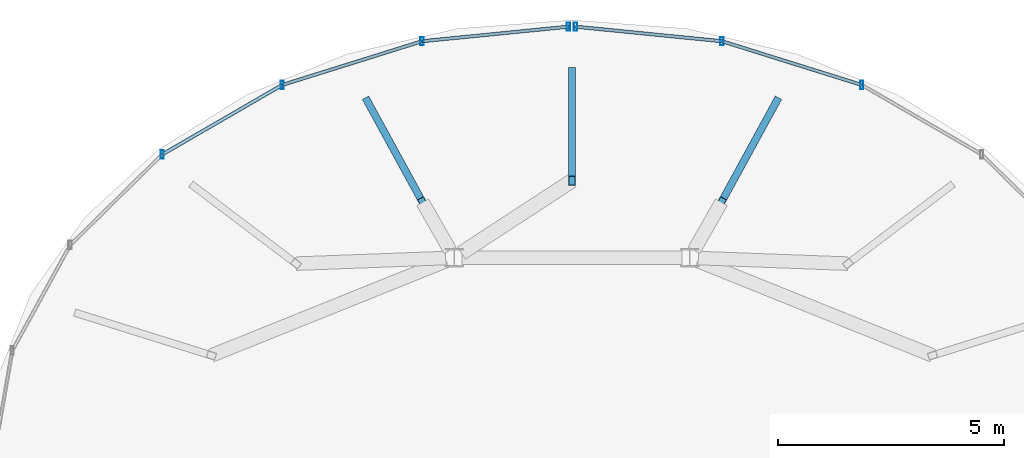
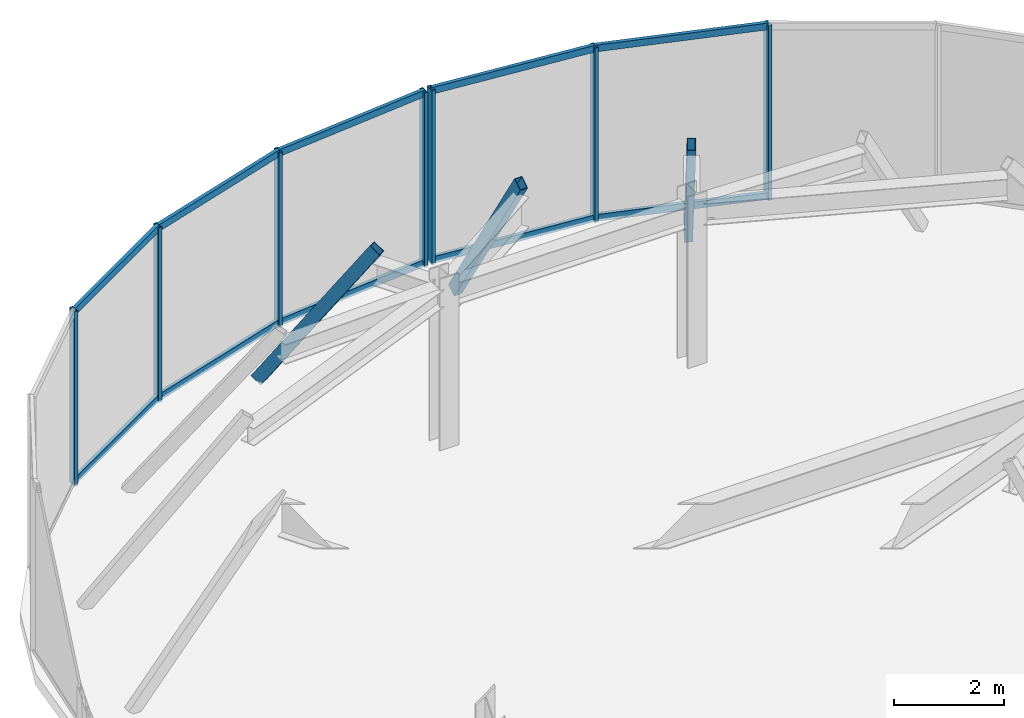
# One storey, part 8 of 10: 20 members, 2 elements without a shape of their own.
"""IFC4 building model written with IfcOpenShell, lengths in metres."""

from ifc_helpers import new_model, si_unit, direction, frame, origin, origin_2d, place, context, subcontext, project, spatial, hollow_rectangle, extrude, material, material_profile, profile_set, type_object, element, aggregate, save


model = new_model("IFC4")

# Units and contexts
model_context = context("Model", 3, precision=1e-05, world=origin(), true_north=direction((0.0, 1.0)))
body_context = subcontext(model_context, "Body", "Model", "MODEL_VIEW")
ifc_project = project(units=[si_unit("LENGTHUNIT", "METRE"), si_unit("AREAUNIT", "SQUARE_METRE"), si_unit("VOLUMEUNIT", "CUBIC_METRE"), si_unit("PLANEANGLEUNIT", "RADIAN"), si_unit("MASSUNIT", "GRAM", prefix="KILO")], contexts=[model_context])

# Site, building, storey
site_placement = place(None, origin())
site = spatial("IfcSite", under=ifc_project, at=site_placement, CompositionType="ELEMENT")
building_placement = place(site_placement, origin())
building = spatial("IfcBuilding", under=site, at=building_placement, Name="Vorneva Point Tower", CompositionType="ELEMENT")
storey_placement = place(building_placement, frame((0.0, 0.0, 306.800048828125)))
storey = spatial("IfcBuildingStorey", under=building, at=storey_placement, Name="C04", CompositionType="ELEMENT", Elevation=306.800048828125)

# Curtain wall, members
ifc_material_1 = material(Name="Pale anodised aluminium", Category="aluminium")
curtain_wall_type = type_object("IfcCurtainWallType", Name="CW-CRN-SYS", PredefinedType="NOTDEFINED", material=ifc_material_1)
curtain_wall_1_placement = place(storey_placement, origin())
curtain_wall_1 = element("IfcCurtainWall", 1, at=curtain_wall_1_placement, inside=storey, type_object=curtain_wall_type, Name="C04 Unitised Curtain Wall CW-C04-Q1", PredefinedType="NOTDEFINED")
ifc_material_profile_1 = material_profile(ifc_material_1, hollow_rectangle(XDim=0.074951171875, YDim=0.179931640625, WallThickness=0.00390625, at=origin_2d()), Name="AL-MUL 180x75x4")
ifc_profile_set_1 = profile_set([ifc_material_profile_1], Name="Pale anodised aluminium")
member_type_1 = type_object("IfcMemberType", Name="CW-MUL-180", PredefinedType="MULLION", material=ifc_profile_set_1)
member_1_placement = place(storey_placement, frame((44.39794921875, 34.36572265625, -0.0400390625), z_axis=(0.0, 0.0, 1.0), x_axis=(1.0, 0.0, 0.0)))
member_1 = element("IfcMember", 2, at=member_1_placement, type_object=member_type_1, Name="CW-C04-Q1 Mullion 05", PredefinedType="MULLION", context=body_context, shape_type="SweptSolid", body=[
    extrude(hollow_rectangle(XDim=0.074951171875, YDim=0.179931640625, WallThickness=0.00390625, at=origin_2d()), origin(), (0.0, 0.0, 1.0), 3.869873046875),
])
member_2_placement = place(storey_placement, frame((41.311767578125, 35.330810546875, -0.0400390625), z_axis=(0.0, 0.0, 1.0), x_axis=(1.0, 0.0, 0.0)))
member_2 = element("IfcMember", 3, at=member_2_placement, type_object=member_type_1, Name="CW-C04-Q1 Mullion 06", PredefinedType="MULLION", context=body_context, shape_type="SweptSolid", body=[
    extrude(hollow_rectangle(XDim=0.074951171875, YDim=0.179931640625, WallThickness=0.00390625, at=origin_2d()), origin(), (0.0, 0.0, 1.0), 3.869873046875),
])
member_3_placement = place(storey_placement, frame((38.07958984375, 35.652099609375, -0.0400390625), z_axis=(0.0, 0.0, 1.0), x_axis=(1.0, 0.0, 0.0)))
member_3 = element("IfcMember", 4, at=member_3_placement, type_object=member_type_1, Name="CW-C04-Q1 Mullion 07", PredefinedType="MULLION", context=body_context, shape_type="SweptSolid", body=[
    extrude(hollow_rectangle(XDim=0.074951171875, YDim=0.179931640625, WallThickness=0.00390625, at=origin_2d()), origin(), (0.0, 0.0, 1.0), 3.869873046875),
])

curtain_wall_2_placement = place(storey_placement, origin())
curtain_wall_2 = element("IfcCurtainWall", 5, at=curtain_wall_2_placement, inside=storey, type_object=curtain_wall_type, Name="C04 Unitised Curtain Wall CW-C04-Q2", PredefinedType="NOTDEFINED")
member_4_placement = place(storey_placement, frame((37.92041015625, 35.652099609375, -0.0400390625), z_axis=(0.0, 0.0, 1.0), x_axis=(1.0, 0.0, 0.0)))
member_4 = element("IfcMember", 6, at=member_4_placement, type_object=member_type_1, Name="CW-C04-Q2 Mullion 01", PredefinedType="MULLION", context=body_context, shape_type="SweptSolid", body=[
    extrude(hollow_rectangle(XDim=0.074951171875, YDim=0.179931640625, WallThickness=0.00390625, at=origin_2d()), origin(), (0.0, 0.0, 1.0), 3.869873046875),
])
member_5_placement = place(storey_placement, frame((34.688232421875, 35.330810546875, -0.0400390625), z_axis=(0.0, 0.0, 1.0), x_axis=(1.0, 0.0, 0.0)))
member_5 = element("IfcMember", 7, at=member_5_placement, type_object=member_type_1, Name="CW-C04-Q2 Mullion 02", PredefinedType="MULLION", context=body_context, shape_type="SweptSolid", body=[
    extrude(hollow_rectangle(XDim=0.074951171875, YDim=0.179931640625, WallThickness=0.00390625, at=origin_2d()), origin(), (0.0, 0.0, 1.0), 3.869873046875),
])
member_6_placement = place(storey_placement, frame((31.60205078125, 34.36572265625, -0.0400390625), z_axis=(0.0, 0.0, 1.0), x_axis=(1.0, 0.0, 0.0)))
member_6 = element("IfcMember", 8, at=member_6_placement, type_object=member_type_1, Name="CW-C04-Q2 Mullion 03", PredefinedType="MULLION", context=body_context, shape_type="SweptSolid", body=[
    extrude(hollow_rectangle(XDim=0.074951171875, YDim=0.179931640625, WallThickness=0.00390625, at=origin_2d()), origin(), (0.0, 0.0, 1.0), 3.869873046875),
])
member_7_placement = place(storey_placement, frame((28.951904296875, 32.830810546875, -0.0400390625), z_axis=(0.0, 0.0, 1.0), x_axis=(1.0, 0.0, 0.0)))
member_7 = element("IfcMember", 9, at=member_7_placement, type_object=member_type_1, Name="CW-C04-Q2 Mullion 04", PredefinedType="MULLION", context=body_context, shape_type="SweptSolid", body=[
    extrude(hollow_rectangle(XDim=0.074951171875, YDim=0.179931640625, WallThickness=0.00390625, at=origin_2d()), origin(), (0.0, 0.0, 1.0), 3.869873046875),
])

# Member
ifc_material_profile_2 = material_profile(ifc_material_1, hollow_rectangle(XDim=0.074951171875, YDim=0.14990234375, WallThickness=0.00390625, at=origin_2d()), Name="AL-TRN 150x75x4")
ifc_profile_set_2 = profile_set([ifc_material_profile_2], Name="Pale anodised aluminium")
member_type_2 = type_object("IfcMemberType", Name="CW-TRN-150", PredefinedType="USERDEFINED", material=ifc_profile_set_2)
member_8_placement = place(storey_placement, frame((44.39794921875, 34.36572265625, 0.02001953125), z_axis=(-0.954422191614, 0.298459846804, 0.0), x_axis=(-0.298459846804, -0.954422191614, 0.0)))
member_8 = element("IfcMember", 10, at=member_8_placement, type_object=member_type_2, Name="CW-C04-Q1 Transom 05.1", ObjectType="TRANSOM", PredefinedType="USERDEFINED", context=body_context, shape_type="SweptSolid", body=[
    extrude(hollow_rectangle(XDim=0.074951171875, YDim=0.14990234375, WallThickness=0.00390625, at=origin_2d()), origin(), (0.0, 0.0, 1.0), 3.233642578125),
])

member_9_placement = place(storey_placement, frame((44.39794921875, 34.36572265625, 3.780029296875), z_axis=(-0.954422191614, 0.298459846804, 0.0), x_axis=(-0.298459846804, -0.954422191614, 0.0)))
member_9 = element("IfcMember", 11, at=member_9_placement, type_object=member_type_2, Name="CW-C04-Q1 Transom 05.2", ObjectType="TRANSOM", PredefinedType="USERDEFINED", context=body_context, shape_type="SweptSolid", body=[
    extrude(hollow_rectangle(XDim=0.074951171875, YDim=0.14990234375, WallThickness=0.00390625, at=origin_2d()), origin(), (0.0, 0.0, 1.0), 3.233642578125),
])

member_10_placement = place(storey_placement, frame((41.311767578125, 35.330810546875, 0.02001953125), z_axis=(-0.995095808146, 0.098915785446, 0.0), x_axis=(-0.098915785446, -0.995095808146, 0.0)))
member_10 = element("IfcMember", 12, at=member_10_placement, type_object=member_type_2, Name="CW-C04-Q1 Transom 06.1", ObjectType="TRANSOM", PredefinedType="USERDEFINED", context=body_context, shape_type="SweptSolid", body=[
    extrude(hollow_rectangle(XDim=0.074951171875, YDim=0.14990234375, WallThickness=0.00390625, at=origin_2d()), origin(), (0.0, 0.0, 1.0), 3.248046875),
])

member_11_placement = place(storey_placement, frame((41.311767578125, 35.330810546875, 3.780029296875), z_axis=(-0.995095808146, 0.098915785446, 0.0), x_axis=(-0.098915785446, -0.995095808146, 0.0)))
member_11 = element("IfcMember", 13, at=member_11_placement, type_object=member_type_2, Name="CW-C04-Q1 Transom 06.2", ObjectType="TRANSOM", PredefinedType="USERDEFINED", context=body_context, shape_type="SweptSolid", body=[
    extrude(hollow_rectangle(XDim=0.074951171875, YDim=0.14990234375, WallThickness=0.00390625, at=origin_2d()), origin(), (0.0, 0.0, 1.0), 3.248046875),
])

aggregate(curtain_wall_1, [member_1, member_2, member_3, member_8, member_9, member_10, member_11])

member_12_placement = place(storey_placement, frame((37.92041015625, 35.652099609375, 0.02001953125), z_axis=(-0.995095808146, -0.098915785446, 0.0), x_axis=(0.098915785446, -0.995095808146, 0.0)))
member_12 = element("IfcMember", 14, at=member_12_placement, type_object=member_type_2, Name="CW-C04-Q2 Transom 01.1", ObjectType="TRANSOM", PredefinedType="USERDEFINED", context=body_context, shape_type="SweptSolid", body=[
    extrude(hollow_rectangle(XDim=0.074951171875, YDim=0.14990234375, WallThickness=0.00390625, at=origin_2d()), origin(), (0.0, 0.0, 1.0), 3.248046875),
])

member_13_placement = place(storey_placement, frame((37.92041015625, 35.652099609375, 3.780029296875), z_axis=(-0.995095808146, -0.098915785446, 0.0), x_axis=(0.098915785446, -0.995095808146, 0.0)))
member_13 = element("IfcMember", 15, at=member_13_placement, type_object=member_type_2, Name="CW-C04-Q2 Transom 01.2", ObjectType="TRANSOM", PredefinedType="USERDEFINED", context=body_context, shape_type="SweptSolid", body=[
    extrude(hollow_rectangle(XDim=0.074951171875, YDim=0.14990234375, WallThickness=0.00390625, at=origin_2d()), origin(), (0.0, 0.0, 1.0), 3.248046875),
])

member_14_placement = place(storey_placement, frame((34.688232421875, 35.330810546875, 0.02001953125), z_axis=(-0.954422191614, -0.298459846804, 0.0), x_axis=(0.298459846804, -0.954422191614, 0.0)))
member_14 = element("IfcMember", 16, at=member_14_placement, type_object=member_type_2, Name="CW-C04-Q2 Transom 02.1", ObjectType="TRANSOM", PredefinedType="USERDEFINED", context=body_context, shape_type="SweptSolid", body=[
    extrude(hollow_rectangle(XDim=0.074951171875, YDim=0.14990234375, WallThickness=0.00390625, at=origin_2d()), origin(), (0.0, 0.0, 1.0), 3.233642578125),
])

member_15_placement = place(storey_placement, frame((34.688232421875, 35.330810546875, 3.780029296875), z_axis=(-0.954422191614, -0.298459846804, 0.0), x_axis=(0.298459846804, -0.954422191614, 0.0)))
member_15 = element("IfcMember", 17, at=member_15_placement, type_object=member_type_2, Name="CW-C04-Q2 Transom 02.2", ObjectType="TRANSOM", PredefinedType="USERDEFINED", context=body_context, shape_type="SweptSolid", body=[
    extrude(hollow_rectangle(XDim=0.074951171875, YDim=0.14990234375, WallThickness=0.00390625, at=origin_2d()), origin(), (0.0, 0.0, 1.0), 3.233642578125),
])

member_16_placement = place(storey_placement, frame((31.60205078125, 34.36572265625, 0.02001953125), z_axis=(-0.865338946389, -0.501187098659, 0.0), x_axis=(0.501187098659, -0.865338946389, 0.0)))
member_16 = element("IfcMember", 18, at=member_16_placement, type_object=member_type_2, Name="CW-C04-Q2 Transom 03.1", ObjectType="TRANSOM", PredefinedType="USERDEFINED", context=body_context, shape_type="SweptSolid", body=[
    extrude(hollow_rectangle(XDim=0.074951171875, YDim=0.14990234375, WallThickness=0.00390625, at=origin_2d()), origin(), (0.0, 0.0, 1.0), 3.0625),
])

member_17_placement = place(storey_placement, frame((31.60205078125, 34.36572265625, 3.780029296875), z_axis=(-0.865338946389, -0.501187098659, 0.0), x_axis=(0.501187098659, -0.865338946389, 0.0)))
member_17 = element("IfcMember", 19, at=member_17_placement, type_object=member_type_2, Name="CW-C04-Q2 Transom 03.2", ObjectType="TRANSOM", PredefinedType="USERDEFINED", context=body_context, shape_type="SweptSolid", body=[
    extrude(hollow_rectangle(XDim=0.074951171875, YDim=0.14990234375, WallThickness=0.00390625, at=origin_2d()), origin(), (0.0, 0.0, 1.0), 3.0625),
])

aggregate(curtain_wall_2, [member_4, member_5, member_6, member_7, member_12, member_13, member_14, member_15, member_16, member_17])

# Members
ifc_material_2 = material(Name="Steel S355", Category="steel")
ifc_material_profile_3 = material_profile(ifc_material_2, hollow_rectangle(XDim=0.159912109375, YDim=0.25, WallThickness=0.010009765625, at=origin_2d()), Name="PP 250x160x10")
ifc_profile_set_3 = profile_set([ifc_material_profile_3], Name="Steel S355")
member_type_3 = type_object("IfcMemberType", Name="MBR-CRN-PP250", PredefinedType="CHORD", material=ifc_profile_set_3)
member_18_placement = place(storey_placement, frame((42.51025390625, 33.99169921875, 0.0), z_axis=(-0.265610072892, -0.485908618746, 0.832672866981), x_axis=(0.877463262147, -0.479643850772, 0.0)))
element("IfcMember", 20, at=member_18_placement, inside=storey, type_object=member_type_3, Name="Crown Tapered Frame Rib C04-04", PredefinedType="CHORD", context=body_context, shape_type="SweptSolid", body=[
    extrude(hollow_rectangle(XDim=0.159912109375, YDim=0.25, WallThickness=0.010009765625, at=origin_2d()), origin(), (0.0, 0.0, 1.0), 4.563720703125),
])
member_19_placement = place(storey_placement, frame((38.0, 34.64990234375, 0.0), z_axis=(0.0, -0.533972553738, 0.845501810675), x_axis=(1.0, 0.0, 0.0)))
element("IfcMember", 21, at=member_19_placement, inside=storey, type_object=member_type_3, Name="Crown Tapered Frame Rib C04-05", PredefinedType="CHORD", context=body_context, shape_type="SweptSolid", body=[
    extrude(hollow_rectangle(XDim=0.159912109375, YDim=0.25, WallThickness=0.010009765625, at=origin_2d()), origin(), (0.0, 0.0, 1.0), 4.494384765625),
])
member_20_placement = place(storey_placement, frame((33.48974609375, 33.99169921875, 0.0), z_axis=(0.265610072892, -0.485908618746, 0.832672866981), x_axis=(0.877463262147, 0.479643850772, 0.0)))
element("IfcMember", 22, at=member_20_placement, inside=storey, type_object=member_type_3, Name="Crown Tapered Frame Rib C04-06", PredefinedType="CHORD", context=body_context, shape_type="SweptSolid", body=[
    extrude(hollow_rectangle(XDim=0.159912109375, YDim=0.25, WallThickness=0.010009765625, at=origin_2d()), origin(), (0.0, 0.0, 1.0), 4.563720703125),
])

save(model, "model.ifc")
